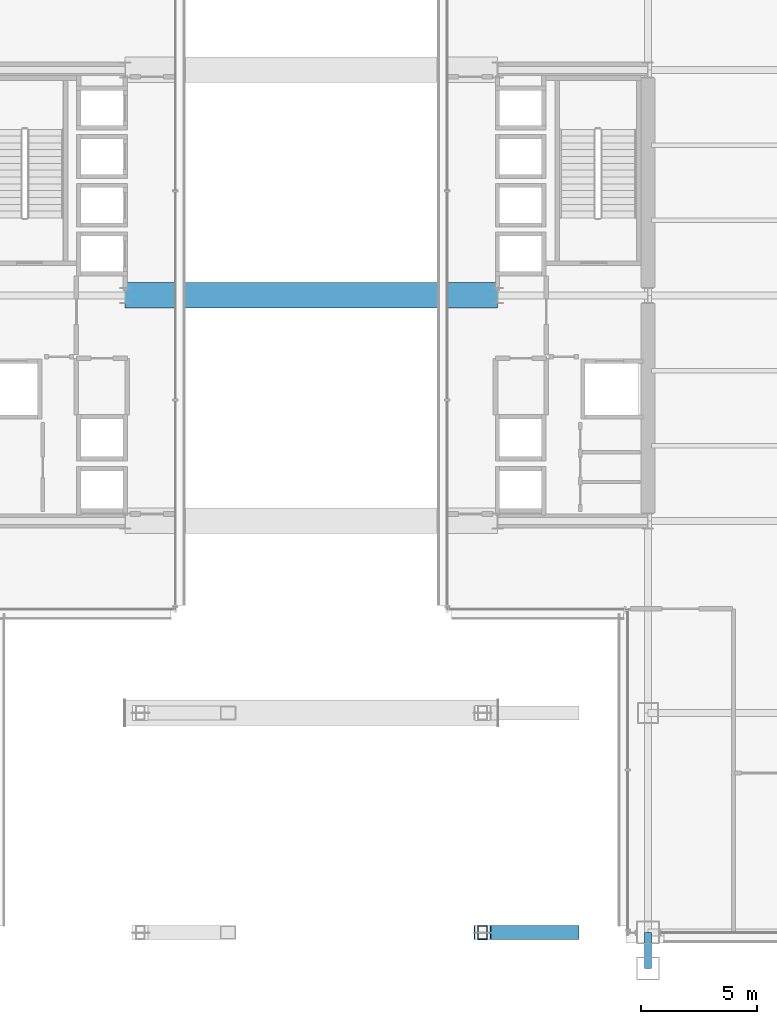
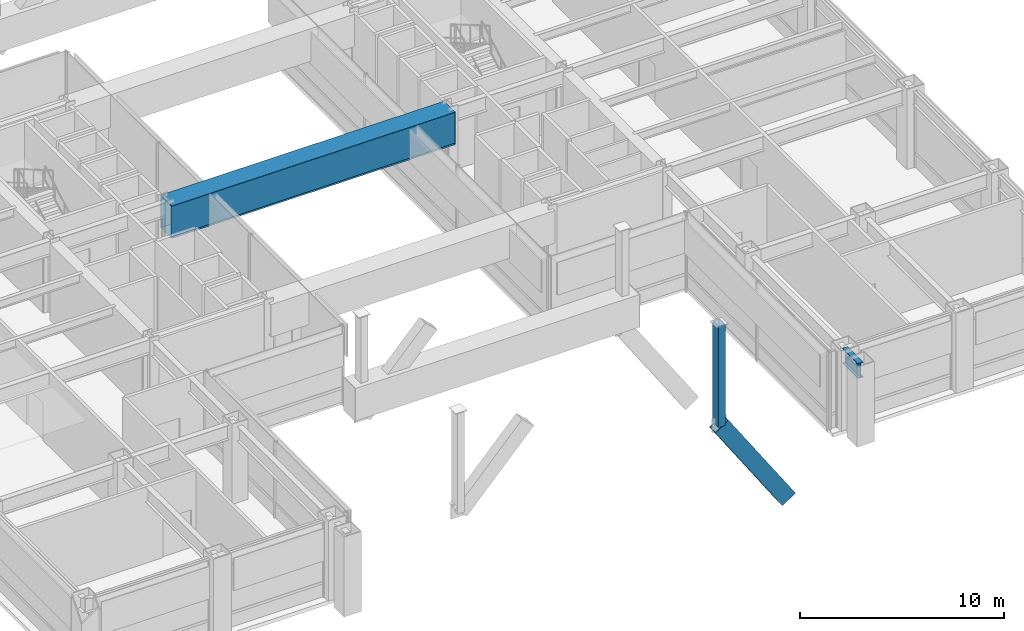
# One storey, part 9 of 42: 2 beams, 2 members.
"""IFC4 building model written with IfcOpenShell, lengths in metres."""

import ifcopenshell
import ifcopenshell.guid

model = None  # the IFC model being written
_history = None  # IfcOwnerHistory: only IFC2X3 demands one
_inside = {}  # id of a spatial element -> (the spatial element, [elements in it])
_under = {}  # id of a project, library or spatial element -> (it, [spatial elements below it])
_declared = {}  # id of a project -> (the project, [libraries it declares])
_typed = {}  # id of a type object -> (the type object, [elements of that type])
_made_of = {}  # id of a material, layer set ... -> (it, [elements and type objects made of it])


def new_model(schema):
    """Start an empty IFC model of exactly this schema.

    Asked for "IFC4X3", IfcOpenShell would pick the latest addendum, in which some entities
    have other attributes; the version numbers below select the first issue.
    IFC2X3 requires an IfcOwnerHistory on every rooted entity: one is made here for all.
    """
    global model, _history
    if schema == "IFC4X3":
        model = ifcopenshell.file(schema_version=(4, 3, 0, 0))
    else:
        model = ifcopenshell.file(schema=schema)
    _inside.clear()
    _under.clear()
    _declared.clear()
    _typed.clear()
    _made_of.clear()
    _history = None
    if model.schema == "IFC2X3":
        org = make("IfcOrganization", Name="unknown")
        user = make(
            "IfcPersonAndOrganization",
            ThePerson=make("IfcPerson", FamilyName="unknown"),
            TheOrganization=org,
        )
        app = make(
            "IfcApplication",
            ApplicationDeveloper=org,
            Version="unknown",
            ApplicationFullName="unknown",
            ApplicationIdentifier="unknown",
        )
        _history = make(
            "IfcOwnerHistory",
            OwningUser=user,
            OwningApplication=app,
            ChangeAction="ADDED",
            CreationDate=0,
        )
    return model


def make(cls, **values):
    """One entity of the class cls with the attributes given. An attribute that is None is left unset."""
    return model.create_entity(
        cls, **{name: value for name, value in values.items() if value is not None}
    )


def rooted(cls, **values):
    """An entity with a GlobalId (a new one), such as an element, a storey or a relation."""
    return make(cls, GlobalId=ifcopenshell.guid.new(), OwnerHistory=_history, **values)


def si_unit(unit_type, name, prefix=None):
    """IfcSIUnit, for example si_unit("LENGTHUNIT", "METRE", prefix="MILLI")."""
    return make("IfcSIUnit", UnitType=unit_type, Prefix=prefix, Name=name)


def assignment(units):
    """IfcUnitAssignment: the units of a project."""
    return None if units is None else make("IfcUnitAssignment", Units=units)


def point(xyz):
    """IfcCartesianPoint."""
    return None if xyz is None else make("IfcCartesianPoint", Coordinates=xyz)


def direction(xyz):
    """IfcDirection."""
    return None if xyz is None else make("IfcDirection", DirectionRatios=xyz)


def frame(location, z_axis=None, x_axis=None):
    """IfcAxis2Placement3D, a coordinate frame: its origin and axes. An axis left out is left unset."""
    return make(
        "IfcAxis2Placement3D",
        Location=point(location),
        Axis=direction(z_axis),
        RefDirection=direction(x_axis),
    )


def frame_2d(location, x_axis=None):
    """IfcAxis2Placement2D, a coordinate frame in the plane: its origin and x axis."""
    return make(
        "IfcAxis2Placement2D", Location=point(location), RefDirection=direction(x_axis)
    )


def origin():
    """The frame at (0, 0, 0) with its axes left unset."""
    return frame((0.0, 0.0, 0.0))


def origin_2d():
    """The frame at (0, 0) in the plane with its x axis left unset."""
    return frame_2d((0.0, 0.0))


def place(relative_to, where):
    """IfcLocalPlacement: puts the frame where relative to a parent placement (None: the world)."""
    return make(
        "IfcLocalPlacement", PlacementRelTo=relative_to, RelativePlacement=where
    )


def context(
    kind, dimensions, precision=None, world=None, true_north=None, identifier=None
):
    """IfcGeometricRepresentationContext, for example the 3D "Model" context."""
    return make(
        "IfcGeometricRepresentationContext",
        ContextIdentifier=identifier,
        ContextType=kind,
        CoordinateSpaceDimension=dimensions,
        Precision=precision,
        WorldCoordinateSystem=world,
        TrueNorth=true_north,
    )


def subcontext(parent, identifier, kind, view, scale=None):
    """IfcGeometricRepresentationSubContext, for example "Body" below "Model"."""
    return make(
        "IfcGeometricRepresentationSubContext",
        ContextIdentifier=identifier,
        ContextType=kind,
        ParentContext=parent,
        TargetScale=scale,
        TargetView=view,
    )


def project(units=None, contexts=None):
    """IfcProject with its units and contexts."""
    return rooted(
        "IfcProject",
        Name="project",
        RepresentationContexts=contexts,
        UnitsInContext=assignment(units),
    )


def spatial(cls, under=None, at=None, **own):
    """A site, building, storey or space (cls), placed at a placement, below another one or the project."""
    s = rooted(cls, ObjectPlacement=at, **own)
    if under is not None:
        _under.setdefault(under.id(), (under, []))[1].append(s)
    return s


def profile(cls, at=None, kind="AREA", **sizes):
    """A parametric profile (cls). Its sizes go by their IFC names, for example OverallWidth=200.0."""
    return make(cls, ProfileType=kind, Position=at, **sizes)


def hollow_rectangle(**sizes):
    """IfcRectangleHollowProfileDef."""
    return profile("IfcRectangleHollowProfileDef", **sizes)


def i_section(**sizes):
    """IfcIShapeProfileDef."""
    return profile("IfcIShapeProfileDef", **sizes)


def extrude(swept, where, along, depth):
    """IfcExtrudedAreaSolid: the profile swept, set in the frame where, extruded along a direction by depth."""
    return make(
        "IfcExtrudedAreaSolid",
        SweptArea=swept,
        Position=where,
        ExtrudedDirection=direction(along),
        Depth=depth,
    )


def shape(context_of_items, identifier, shape_type, items):
    """IfcShapeRepresentation: the items that make up one representation, for example the "Body"."""
    return make(
        "IfcShapeRepresentation",
        ContextOfItems=context_of_items,
        RepresentationIdentifier=identifier,
        RepresentationType=shape_type,
        Items=items,
    )


def material(Name=None, Category=None):
    """IfcMaterial."""
    return make("IfcMaterial", Name=Name, Category=Category)


def material_profile(
    of_material, cross_section, Name=None, Category=None, Priority=None
):
    """IfcMaterialProfile: a cross section and its material."""
    return make(
        "IfcMaterialProfile",
        Name=Name,
        Material=of_material,
        Profile=cross_section,
        Priority=Priority,
        Category=Category,
    )


def profile_set(profiles, Name=None, composite=None):
    """IfcMaterialProfileSet."""
    return make(
        "IfcMaterialProfileSet",
        Name=Name,
        MaterialProfiles=profiles,
        CompositeProfile=composite,
    )


def made_of(thing, what):
    """Note that an element or type object is made of a material, layer set ...; save() writes the relation."""
    if what is not None:
        _made_of.setdefault(what.id(), (what, []))[1].append(thing)
    return thing


def type_object(cls, material=None, **own):
    """A type object (cls), such as IfcWallType, which elements share."""
    return made_of(rooted(cls, **own), material)


def element(
    cls,
    number,
    at=None,
    inside=None,
    cuts=None,
    type_object=None,
    material=None,
    context=None,
    identifier="Body",
    shape_type=None,
    held_by="IfcProductDefinitionShape",
    body=None,
    shapes=None,
    **own,
):
    """One element of the class cls, such as IfcWall. Its Tag is "e" and its number.

    at: its placement. inside: the storey or other place that contains it. cuts: it is an
    opening in that element (IfcRelVoidsElement). A single representation is given by context,
    identifier, shape_type and body (its items); several are given by shapes. held_by: the class
    of the entity that holds the representations. save() writes the other relations.
    """
    e = rooted(cls, Tag="e%d" % number, ObjectPlacement=at, **own)
    if body is not None:
        shapes = [shape(context, identifier, shape_type, body)]
    if shapes is not None:
        e.Representation = make(held_by, Representations=shapes)
    if inside is not None:
        _inside.setdefault(inside.id(), (inside, []))[1].append(e)
    if cuts is not None:
        rooted(
            "IfcRelVoidsElement", RelatingBuildingElement=cuts, RelatedOpeningElement=e
        )
    if type_object is not None:
        _typed.setdefault(type_object.id(), (type_object, []))[1].append(e)
    return made_of(e, material)


def aggregate(whole, parts):
    """IfcRelAggregates: a whole, such as a stair, and the parts it consists of."""
    return rooted("IfcRelAggregates", RelatingObject=whole, RelatedObjects=parts)


def save(model, path):
    """Write the relations noted so far, then the file.

    IfcRelAggregates (storeys below a building ...), IfcRelContainedInSpatialStructure (elements
    in a storey), IfcRelDefinesByType, IfcRelAssociatesMaterial and IfcRelDeclares: one each for
    every whole, place, type object, material and project.
    """
    for whole, parts in _under.values():
        aggregate(whole, parts)
    for where, things in _inside.values():
        rooted(
            "IfcRelContainedInSpatialStructure",
            RelatedElements=things,
            RelatingStructure=where,
        )
    for kind, things in _typed.values():
        rooted("IfcRelDefinesByType", RelatedObjects=things, RelatingType=kind)
    for what, things in _made_of.values():
        rooted("IfcRelAssociatesMaterial", RelatedObjects=things, RelatingMaterial=what)
    for by, libraries in _declared.values():
        rooted("IfcRelDeclares", RelatingContext=by, RelatedDefinitions=libraries)
    model.write(path)


model = new_model("IFC4")

# Units and contexts
model_context = context("Model", 3, precision=1e-05, world=origin(), true_north=direction((0.0, 1.0)))
body_context = subcontext(model_context, "Body", "Model", "MODEL_VIEW")
ifc_project = project(units=[si_unit("LENGTHUNIT", "METRE"), si_unit("AREAUNIT", "SQUARE_METRE"), si_unit("VOLUMEUNIT", "CUBIC_METRE"), si_unit("PLANEANGLEUNIT", "RADIAN"), si_unit("MASSUNIT", "GRAM", prefix="KILO")], contexts=[model_context])

# Site, building, storey
site_placement = place(None, origin())
site = spatial("IfcSite", under=ifc_project, at=site_placement, CompositionType="ELEMENT")
building_placement = place(site_placement, origin())
building = spatial("IfcBuilding", under=site, at=building_placement, Name="Brelmoor Portico Tower", CompositionType="ELEMENT")
storey_placement = place(building_placement, frame((0.0, 0.0, 9.60009765625)))
storey = spatial("IfcBuildingStorey", under=building, at=storey_placement, Name="L02", CompositionType="ELEMENT", Elevation=9.60009765625)

# Beams
ifc_material_1 = material(Name="Steel Q355B", Category="steel")
ifc_material_profile_1 = material_profile(ifc_material_1, i_section(OverallWidth=0.300048828125, OverallDepth=0.89990234375, WebThickness=0.01611328125, FlangeThickness=0.028076171875, at=origin_2d()), Name="HN 900x300x16x28")
ifc_profile_set_1 = profile_set([ifc_material_profile_1], Name="Steel Q355B")
beam_type_1 = type_object("IfcBeamType", Name="BM-PG-900", PredefinedType="BEAM", material=ifc_profile_set_1)
beam_1_placement = place(storey_placement, frame((14.550048828125, -29.10009765625, 4.1298828125), z_axis=(0.0, 1.0, 0.0), x_axis=(-1.0, 0.0, 0.0)))
element("IfcBeam", 1, at=beam_1_placement, inside=storey, type_object=beam_type_1, Name="L02 Primary Floor Girder PG-11", PredefinedType="BEAM", context=body_context, shape_type="SweptSolid", body=[
    extrude(i_section(OverallWidth=0.300048828125, OverallDepth=0.89990234375, WebThickness=0.01611328125, FlangeThickness=0.028076171875, at=origin_2d()), origin(), (0.0, 0.0, 1.0), 1.550048828125),
])
ifc_material_2 = material(Name="Steel Q420B", Category="steel")
ifc_material_profile_2 = material_profile(ifc_material_2, hollow_rectangle(XDim=1.10009765625, YDim=1.949951171875, WallThickness=0.054931640625, at=origin_2d()), Name="BOX 1100x1950x55")
ifc_profile_set_2 = profile_set([ifc_material_profile_2], Name="Steel Q420B")
beam_type_2 = type_object("IfcBeamType", Name="BM-TG-ARCH", PredefinedType="BEAM", material=ifc_profile_set_2)
beam_2_placement = place(storey_placement, frame((-8.050048828125, 0.0, 3.60498046875), z_axis=(1.0, 0.0, 0.0), x_axis=(0.0, 1.0, 0.0)))
element("IfcBeam", 2, at=beam_2_placement, inside=storey, type_object=beam_type_2, Name="L02 Portico Arch Transfer Box Girder TG-ARCH-03", PredefinedType="BEAM", context=body_context, shape_type="SweptSolid", body=[
    extrude(hollow_rectangle(XDim=1.10009765625, YDim=1.949951171875, WallThickness=0.054931640625, at=origin_2d()), origin(), (0.0, 0.0, 1.0), 16.10009765625),
])

# Members
ifc_material_profile_3 = material_profile(ifc_material_2, hollow_rectangle(XDim=0.60009765625, YDim=0.89990234375, WallThickness=0.035888671875, at=origin_2d()), Name="RHS 600x900x36")
ifc_profile_set_3 = profile_set([ifc_material_profile_3], Name="Steel Q420B")
member_type_1 = type_object("IfcMemberType", Name="MB-ARCH-RIB", PredefinedType="CHORD", material=ifc_profile_set_3)
member_1_placement = place(storey_placement, frame((7.39990234375, -27.550048828125, 2.5), z_axis=(0.554691972244, 0.0, -0.832055776933), x_axis=(0.0, 1.0, 0.0)))
element("IfcMember", 3, at=member_1_placement, inside=storey, type_object=member_type_1, Name="Giant Portico Arch Rib S1-7", PredefinedType="CHORD", context=body_context, shape_type="SweptSolid", body=[
    extrude(hollow_rectangle(XDim=0.60009765625, YDim=0.89990234375, WallThickness=0.035888671875, at=origin_2d()), origin(), (0.0, 0.0, 1.0), 6.850830078125),
])
ifc_material_profile_4 = material_profile(ifc_material_1, hollow_rectangle(XDim=0.39990234375, YDim=0.60009765625, WallThickness=0.02392578125, at=origin_2d()), Name="RHS 400x600x24")
ifc_profile_set_4 = profile_set([ifc_material_profile_4], Name="Steel Q355B")
member_type_2 = type_object("IfcMemberType", Name="MB-ARCH-STRUT", PredefinedType="BRACE", material=ifc_profile_set_4)
member_2_placement = place(storey_placement, frame((7.39990234375, -27.550048828125, 2.5), z_axis=(0.0, 0.0, 1.0), x_axis=(1.0, 0.0, 0.0)))
element("IfcMember", 4, at=member_2_placement, inside=storey, type_object=member_type_2, Name="Portico Arch Spandrel Strut S1-5", PredefinedType="BRACE", context=body_context, shape_type="SweptSolid", body=[
    extrude(hollow_rectangle(XDim=0.39990234375, YDim=0.60009765625, WallThickness=0.02392578125, at=origin_2d()), origin(), (0.0, 0.0, 1.0), 6.054931640625),
])

save(model, "model.ifc")
